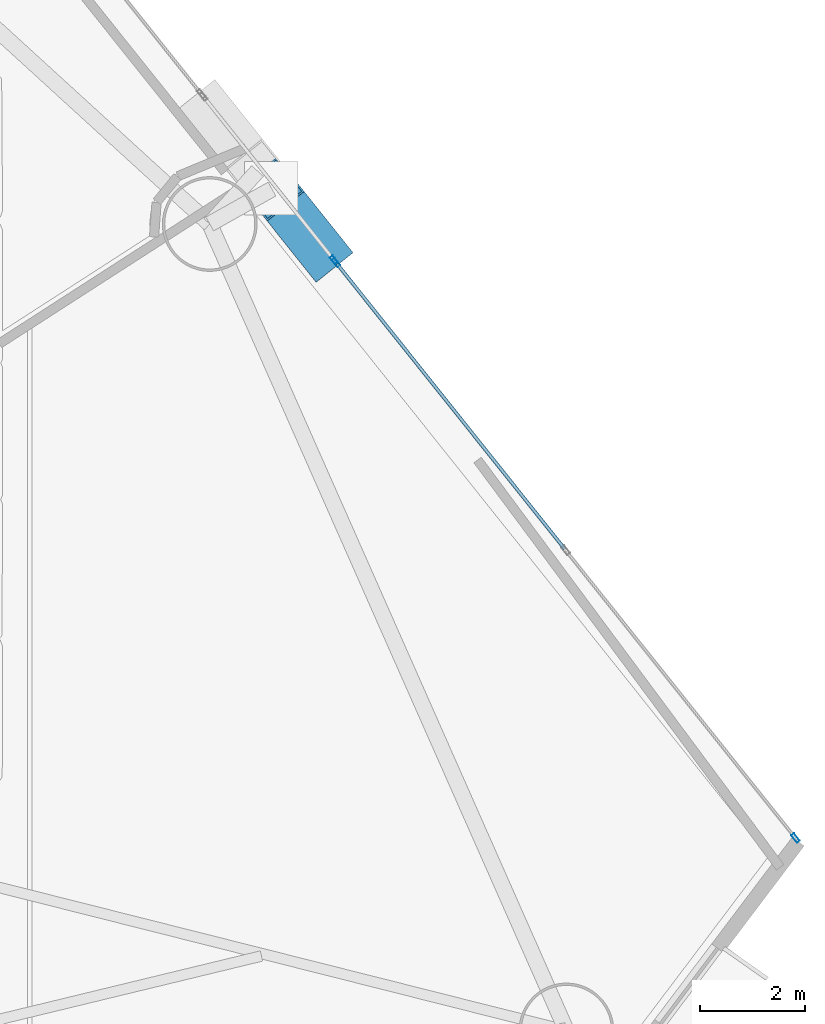
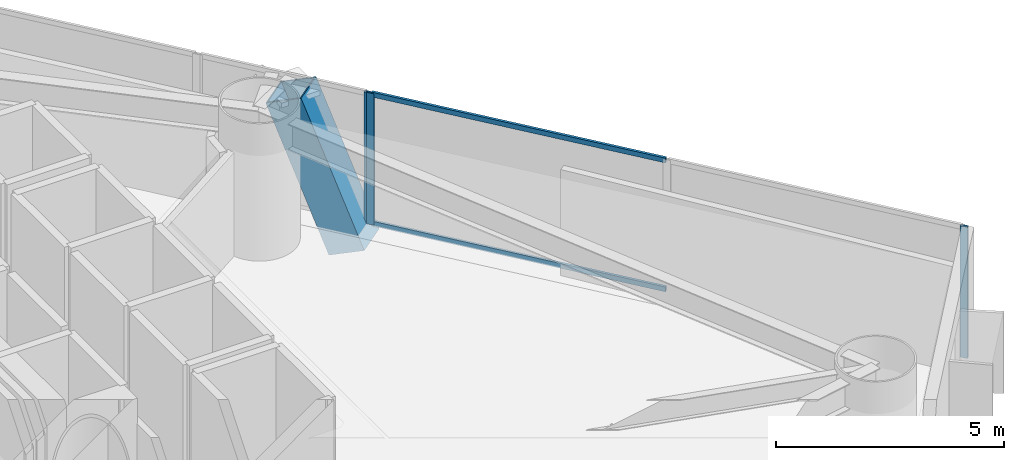
# One storey, part 14 of 23: 6 members, 2 elements without a shape of their own.
"""IFC4 building model written with IfcOpenShell, lengths in metres."""

import ifcopenshell
import ifcopenshell.guid

model = None  # the IFC model being written
_history = None  # IfcOwnerHistory: only IFC2X3 demands one
_inside = {}  # id of a spatial element -> (the spatial element, [elements in it])
_under = {}  # id of a project, library or spatial element -> (it, [spatial elements below it])
_declared = {}  # id of a project -> (the project, [libraries it declares])
_typed = {}  # id of a type object -> (the type object, [elements of that type])
_made_of = {}  # id of a material, layer set ... -> (it, [elements and type objects made of it])


def new_model(schema):
    """Start an empty IFC model of exactly this schema.

    Asked for "IFC4X3", IfcOpenShell would pick the latest addendum, in which some entities
    have other attributes; the version numbers below select the first issue.
    IFC2X3 requires an IfcOwnerHistory on every rooted entity: one is made here for all.
    """
    global model, _history
    if schema == "IFC4X3":
        model = ifcopenshell.file(schema_version=(4, 3, 0, 0))
    else:
        model = ifcopenshell.file(schema=schema)
    _inside.clear()
    _under.clear()
    _declared.clear()
    _typed.clear()
    _made_of.clear()
    _history = None
    if model.schema == "IFC2X3":
        org = make("IfcOrganization", Name="unknown")
        user = make(
            "IfcPersonAndOrganization",
            ThePerson=make("IfcPerson", FamilyName="unknown"),
            TheOrganization=org,
        )
        app = make(
            "IfcApplication",
            ApplicationDeveloper=org,
            Version="unknown",
            ApplicationFullName="unknown",
            ApplicationIdentifier="unknown",
        )
        _history = make(
            "IfcOwnerHistory",
            OwningUser=user,
            OwningApplication=app,
            ChangeAction="ADDED",
            CreationDate=0,
        )
    return model


def make(cls, **values):
    """One entity of the class cls with the attributes given. An attribute that is None is left unset."""
    return model.create_entity(
        cls, **{name: value for name, value in values.items() if value is not None}
    )


def rooted(cls, **values):
    """An entity with a GlobalId (a new one), such as an element, a storey or a relation."""
    return make(cls, GlobalId=ifcopenshell.guid.new(), OwnerHistory=_history, **values)


def si_unit(unit_type, name, prefix=None):
    """IfcSIUnit, for example si_unit("LENGTHUNIT", "METRE", prefix="MILLI")."""
    return make("IfcSIUnit", UnitType=unit_type, Prefix=prefix, Name=name)


def assignment(units):
    """IfcUnitAssignment: the units of a project."""
    return None if units is None else make("IfcUnitAssignment", Units=units)


def point(xyz):
    """IfcCartesianPoint."""
    return None if xyz is None else make("IfcCartesianPoint", Coordinates=xyz)


def direction(xyz):
    """IfcDirection."""
    return None if xyz is None else make("IfcDirection", DirectionRatios=xyz)


def frame(location, z_axis=None, x_axis=None):
    """IfcAxis2Placement3D, a coordinate frame: its origin and axes. An axis left out is left unset."""
    return make(
        "IfcAxis2Placement3D",
        Location=point(location),
        Axis=direction(z_axis),
        RefDirection=direction(x_axis),
    )


def frame_2d(location, x_axis=None):
    """IfcAxis2Placement2D, a coordinate frame in the plane: its origin and x axis."""
    return make(
        "IfcAxis2Placement2D", Location=point(location), RefDirection=direction(x_axis)
    )


def origin():
    """The frame at (0, 0, 0) with its axes left unset."""
    return frame((0.0, 0.0, 0.0))


def origin_2d():
    """The frame at (0, 0) in the plane with its x axis left unset."""
    return frame_2d((0.0, 0.0))


def place(relative_to, where):
    """IfcLocalPlacement: puts the frame where relative to a parent placement (None: the world)."""
    return make(
        "IfcLocalPlacement", PlacementRelTo=relative_to, RelativePlacement=where
    )


def context(
    kind, dimensions, precision=None, world=None, true_north=None, identifier=None
):
    """IfcGeometricRepresentationContext, for example the 3D "Model" context."""
    return make(
        "IfcGeometricRepresentationContext",
        ContextIdentifier=identifier,
        ContextType=kind,
        CoordinateSpaceDimension=dimensions,
        Precision=precision,
        WorldCoordinateSystem=world,
        TrueNorth=true_north,
    )


def subcontext(parent, identifier, kind, view, scale=None):
    """IfcGeometricRepresentationSubContext, for example "Body" below "Model"."""
    return make(
        "IfcGeometricRepresentationSubContext",
        ContextIdentifier=identifier,
        ContextType=kind,
        ParentContext=parent,
        TargetScale=scale,
        TargetView=view,
    )


def project(units=None, contexts=None):
    """IfcProject with its units and contexts."""
    return rooted(
        "IfcProject",
        Name="project",
        RepresentationContexts=contexts,
        UnitsInContext=assignment(units),
    )


def spatial(cls, under=None, at=None, **own):
    """A site, building, storey or space (cls), placed at a placement, below another one or the project."""
    s = rooted(cls, ObjectPlacement=at, **own)
    if under is not None:
        _under.setdefault(under.id(), (under, []))[1].append(s)
    return s


def profile(cls, at=None, kind="AREA", **sizes):
    """A parametric profile (cls). Its sizes go by their IFC names, for example OverallWidth=200.0."""
    return make(cls, ProfileType=kind, Position=at, **sizes)


def hollow_rectangle(**sizes):
    """IfcRectangleHollowProfileDef."""
    return profile("IfcRectangleHollowProfileDef", **sizes)


def extrude(swept, where, along, depth):
    """IfcExtrudedAreaSolid: the profile swept, set in the frame where, extruded along a direction by depth."""
    return make(
        "IfcExtrudedAreaSolid",
        SweptArea=swept,
        Position=where,
        ExtrudedDirection=direction(along),
        Depth=depth,
    )


def shape(context_of_items, identifier, shape_type, items):
    """IfcShapeRepresentation: the items that make up one representation, for example the "Body"."""
    return make(
        "IfcShapeRepresentation",
        ContextOfItems=context_of_items,
        RepresentationIdentifier=identifier,
        RepresentationType=shape_type,
        Items=items,
    )


def material(Name=None, Category=None):
    """IfcMaterial."""
    return make("IfcMaterial", Name=Name, Category=Category)


def layer(
    of_material, thickness, ventilated=None, Name=None, Category=None, Priority=None
):
    """IfcMaterialLayer: one layer of a wall or slab, of a material (None: an air gap)."""
    return make(
        "IfcMaterialLayer",
        Material=of_material,
        LayerThickness=thickness,
        IsVentilated=ventilated,
        Name=Name,
        Category=Category,
        Priority=Priority,
    )


def layer_set(layers, Name=None):
    """IfcMaterialLayerSet."""
    return make("IfcMaterialLayerSet", MaterialLayers=layers, LayerSetName=Name)


def material_profile(
    of_material, cross_section, Name=None, Category=None, Priority=None
):
    """IfcMaterialProfile: a cross section and its material."""
    return make(
        "IfcMaterialProfile",
        Name=Name,
        Material=of_material,
        Profile=cross_section,
        Priority=Priority,
        Category=Category,
    )


def profile_set(profiles, Name=None, composite=None):
    """IfcMaterialProfileSet."""
    return make(
        "IfcMaterialProfileSet",
        Name=Name,
        MaterialProfiles=profiles,
        CompositeProfile=composite,
    )


def made_of(thing, what):
    """Note that an element or type object is made of a material, layer set ...; save() writes the relation."""
    if what is not None:
        _made_of.setdefault(what.id(), (what, []))[1].append(thing)
    return thing


def type_object(cls, material=None, **own):
    """A type object (cls), such as IfcWallType, which elements share."""
    return made_of(rooted(cls, **own), material)


def element(
    cls,
    number,
    at=None,
    inside=None,
    cuts=None,
    type_object=None,
    material=None,
    context=None,
    identifier="Body",
    shape_type=None,
    held_by="IfcProductDefinitionShape",
    body=None,
    shapes=None,
    **own,
):
    """One element of the class cls, such as IfcWall. Its Tag is "e" and its number.

    at: its placement. inside: the storey or other place that contains it. cuts: it is an
    opening in that element (IfcRelVoidsElement). A single representation is given by context,
    identifier, shape_type and body (its items); several are given by shapes. held_by: the class
    of the entity that holds the representations. save() writes the other relations.
    """
    e = rooted(cls, Tag="e%d" % number, ObjectPlacement=at, **own)
    if body is not None:
        shapes = [shape(context, identifier, shape_type, body)]
    if shapes is not None:
        e.Representation = make(held_by, Representations=shapes)
    if inside is not None:
        _inside.setdefault(inside.id(), (inside, []))[1].append(e)
    if cuts is not None:
        rooted(
            "IfcRelVoidsElement", RelatingBuildingElement=cuts, RelatedOpeningElement=e
        )
    if type_object is not None:
        _typed.setdefault(type_object.id(), (type_object, []))[1].append(e)
    return made_of(e, material)


def aggregate(whole, parts):
    """IfcRelAggregates: a whole, such as a stair, and the parts it consists of."""
    return rooted("IfcRelAggregates", RelatingObject=whole, RelatedObjects=parts)


def save(model, path):
    """Write the relations noted so far, then the file.

    IfcRelAggregates (storeys below a building ...), IfcRelContainedInSpatialStructure (elements
    in a storey), IfcRelDefinesByType, IfcRelAssociatesMaterial and IfcRelDeclares: one each for
    every whole, place, type object, material and project.
    """
    for whole, parts in _under.values():
        aggregate(whole, parts)
    for where, things in _inside.values():
        rooted(
            "IfcRelContainedInSpatialStructure",
            RelatedElements=things,
            RelatingStructure=where,
        )
    for kind, things in _typed.values():
        rooted("IfcRelDefinesByType", RelatedObjects=things, RelatingType=kind)
    for what, things in _made_of.values():
        rooted("IfcRelAssociatesMaterial", RelatedObjects=things, RelatingMaterial=what)
    for by, libraries in _declared.values():
        rooted("IfcRelDeclares", RelatingContext=by, RelatedDefinitions=libraries)
    model.write(path)


model = new_model("IFC4")

# Units and contexts
model_context = context("Model", 3, precision=1e-05, world=origin(), true_north=direction((0.0, 1.0)))
body_context = subcontext(model_context, "Body", "Model", "MODEL_VIEW")
ifc_project = project(units=[si_unit("LENGTHUNIT", "METRE"), si_unit("AREAUNIT", "SQUARE_METRE"), si_unit("VOLUMEUNIT", "CUBIC_METRE"), si_unit("PLANEANGLEUNIT", "RADIAN"), si_unit("MASSUNIT", "GRAM", prefix="KILO")], contexts=[model_context])

# Site, building, storey
site_placement = place(None, origin())
site = spatial("IfcSite", under=ifc_project, at=site_placement, CompositionType="ELEMENT")
building_placement = place(site_placement, origin())
building = spatial("IfcBuilding", under=site, at=building_placement, Name="Qianvela Tower", CompositionType="ELEMENT")
storey_placement = place(building_placement, frame((0.0, 0.0, 29.39990234375)))
storey = spatial("IfcBuildingStorey", under=building, at=storey_placement, Name="L06", CompositionType="ELEMENT", Elevation=29.39990234375)

# Curtain wall, member
ifc_material_1 = material(Name="Anodised Architectural Aluminium and Insulated Spandrel Panel", Category="aluminium")
ifc_layer_1 = layer(ifc_material_1, 0.179931640625)
ifc_layer_set_1 = layer_set([ifc_layer_1], Name="Anodised Architectural Aluminium and Insulated Spandrel Panel")
curtain_wall_type_1 = type_object("IfcCurtainWallType", Name="CW-BRACEBAY", PredefinedType="USERDEFINED", material=ifc_layer_set_1)
curtain_wall_1_placement = place(storey_placement, origin())
curtain_wall_1 = element("IfcCurtainWall", 1, at=curtain_wall_1_placement, inside=storey, type_object=curtain_wall_type_1, Name="L06 CW-BRACEBAY Curtain Wall 02B", ObjectType="CURTAIN_WALL_SYSTEM", PredefinedType="USERDEFINED")
ifc_material_2 = material(Name="Anodised Architectural Aluminium 6063-T6", Category="aluminium")
ifc_material_profile_1 = material_profile(ifc_material_2, hollow_rectangle(XDim=0.06494140625, YDim=0.159912109375, WallThickness=0.0048828125, at=origin_2d()), Name="ALU-MULL-65x160")
ifc_profile_set_1 = profile_set([ifc_material_profile_1], Name="Anodised Architectural Aluminium 6063-T6")
member_type_1 = type_object("IfcMemberType", Name="CW-BRACEBAY-MULL", PredefinedType="MULLION", material=ifc_profile_set_1)
member_1_placement = place(storey_placement, frame((50.0927734375, 31.9580078125, 0.0), z_axis=(0.0, 0.0, 1.0), x_axis=(-0.781444647879, -0.623974568634, 0.0)))
member_1 = element("IfcMember", 2, at=member_1_placement, type_object=member_type_1, Name="CW-9 mullion 1", PredefinedType="MULLION", context=body_context, shape_type="SweptSolid", body=[
    extrude(hollow_rectangle(XDim=0.06494140625, YDim=0.159912109375, WallThickness=0.0048828125, at=origin_2d()), origin(), (0.0, 0.0, 1.0), 3.52001953125),
])
aggregate(curtain_wall_1, [member_1])

# Curtain wall, members
ifc_material_3 = material(Name="Anodised Architectural Aluminium and Low-E Glass", Category="aluminium")
ifc_layer_2 = layer(ifc_material_3, 0.179931640625)
ifc_layer_set_2 = layer_set([ifc_layer_2], Name="Anodised Architectural Aluminium and Low-E Glass")
curtain_wall_type_2 = type_object("IfcCurtainWallType", Name="CW-COLIV-Z12", PredefinedType="USERDEFINED", material=ifc_layer_set_2)
curtain_wall_2_placement = place(storey_placement, origin())
curtain_wall_2 = element("IfcCurtainWall", 3, at=curtain_wall_2_placement, inside=storey, type_object=curtain_wall_type_2, Name="L06 CW-COLIV-Z12 Curtain Wall 02A", ObjectType="CURTAIN_WALL_SYSTEM", PredefinedType="USERDEFINED")
ifc_material_4 = material(Name="Anodised Architectural Aluminium 6063-T6", Category="aluminium")
ifc_material_profile_2 = material_profile(ifc_material_4, hollow_rectangle(XDim=0.070068359375, YDim=0.179931640625, WallThickness=0.0048828125, at=origin_2d()), Name="ALU-MULL-70x180")
ifc_profile_set_2 = profile_set([ifc_material_profile_2], Name="Anodised Architectural Aluminium 6063-T6")
member_type_2 = type_object("IfcMemberType", Name="CW-COLIV-Z12-MULL", PredefinedType="MULLION", material=ifc_profile_set_2)
member_2_placement = place(storey_placement, frame((58.8642578125, 20.97265625, 0.0), z_axis=(0.0, 0.0, 1.0), x_axis=(-0.781443713372, -0.623975738977, 0.0)))
member_2 = element("IfcMember", 4, at=member_2_placement, type_object=member_type_2, Name="CW-3 mullion 1", PredefinedType="MULLION", context=body_context, shape_type="SweptSolid", body=[
    extrude(hollow_rectangle(XDim=0.070068359375, YDim=0.179931640625, WallThickness=0.0048828125, at=origin_2d()), origin(), (0.0, 0.0, 1.0), 3.52001953125),
])
member_3_placement = place(storey_placement, frame((50.135009765625, 31.905029296875, 0.0), z_axis=(0.0, 0.0, 1.0), x_axis=(-0.781443713372, -0.623975738977, 0.0)))
member_3 = element("IfcMember", 5, at=member_3_placement, type_object=member_type_2, Name="CW-3 mullion 3", PredefinedType="MULLION", context=body_context, shape_type="SweptSolid", body=[
    extrude(hollow_rectangle(XDim=0.070068359375, YDim=0.179931640625, WallThickness=0.0048828125, at=origin_2d()), origin(), (0.0, 0.0, 1.0), 3.52001953125),
])
ifc_material_5 = material(Name="Anodised Architectural Aluminium 6063-T6", Category="aluminium")
ifc_material_profile_3 = material_profile(ifc_material_5, hollow_rectangle(XDim=0.06494140625, YDim=0.1298828125, WallThickness=0.00439453125, at=origin_2d()), Name="ALU-TRAN-65x130")
ifc_profile_set_3 = profile_set([ifc_material_profile_3], Name="Anodised Architectural Aluminium 6063-T6")
member_type_3 = type_object("IfcMemberType", Name="CW-COLIV-Z12-TRAN", PredefinedType="USERDEFINED", material=ifc_profile_set_3)
member_4_placement = place(storey_placement, frame((54.477783203125, 26.46630859375, 0.03271484375), z_axis=(-0.623985382255, 0.781436013204, 0.0), x_axis=(-0.781436013204, -0.623985382255, 0.0)))
member_4 = element("IfcMember", 6, at=member_4_placement, type_object=member_type_3, Name="CW-3 transom 2.1", ObjectType="TRANSOM", PredefinedType="USERDEFINED", context=body_context, shape_type="SweptSolid", body=[
    extrude(hollow_rectangle(XDim=0.06494140625, YDim=0.1298828125, WallThickness=0.00439453125, at=origin_2d()), origin(), (0.0, 0.0, 1.0), 6.9248046875),
])
member_5_placement = place(storey_placement, frame((54.477783203125, 26.46630859375, 3.487548828125), z_axis=(-0.623985382255, 0.781436013204, 0.0), x_axis=(-0.781436013204, -0.623985382255, 0.0)))
member_5 = element("IfcMember", 7, at=member_5_placement, type_object=member_type_3, Name="CW-3 transom 2.2", ObjectType="TRANSOM", PredefinedType="USERDEFINED", context=body_context, shape_type="SweptSolid", body=[
    extrude(hollow_rectangle(XDim=0.06494140625, YDim=0.1298828125, WallThickness=0.00439453125, at=origin_2d()), origin(), (0.0, 0.0, 1.0), 6.9248046875),
])
aggregate(curtain_wall_2, [member_2, member_3, member_4, member_5])

# Member
ifc_material_6 = material(Name="Steel Q420GJC", Category="steel")
ifc_material_profile_4 = material_profile(ifc_material_6, hollow_rectangle(XDim=0.89990234375, YDim=0.89990234375, WallThickness=0.035888671875, at=origin_2d()), Name="MBOX-900x900x36")
ifc_profile_set_4 = profile_set([ifc_material_profile_4], Name="Steel Q420GJC")
member_type_4 = type_object("IfcMemberType", Name="MBR-MBRACE-900", PredefinedType="BRACE", material=ifc_profile_set_4)
member_6_placement = place(storey_placement, frame((49.84765625, 32.13671875, -0.531982421875), z_axis=(-0.232911254382, 0.291674672045, 0.927727456352), x_axis=(-0.781428473123, -0.623994824813, 0.0)))
element("IfcMember", 8, at=member_6_placement, inside=storey, type_object=member_type_4, Name="L06 Tier 1 Exterior Mega-Brace F1A", PredefinedType="BRACE", context=body_context, shape_type="SweptSolid", body=[
    extrude(hollow_rectangle(XDim=0.89990234375, YDim=0.89990234375, WallThickness=0.035888671875, at=origin_2d()), origin(), (0.0, 0.0, 1.0), 3.988525390625),
])

save(model, "model.ifc")
